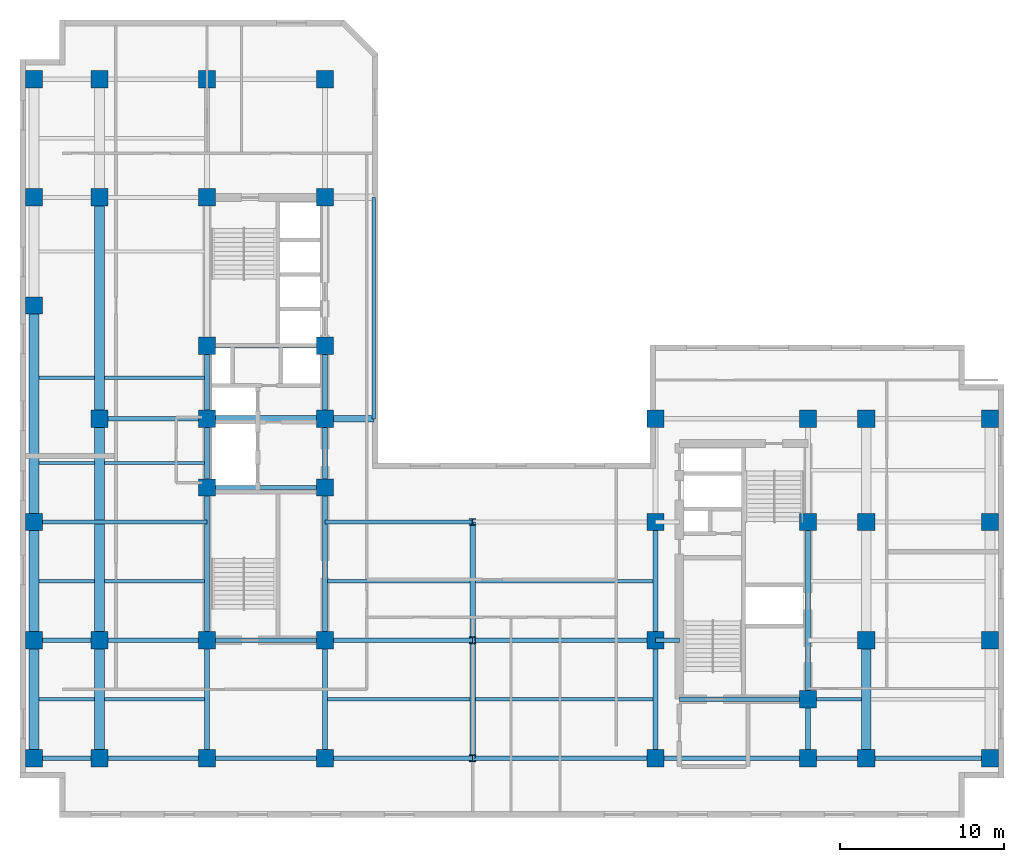
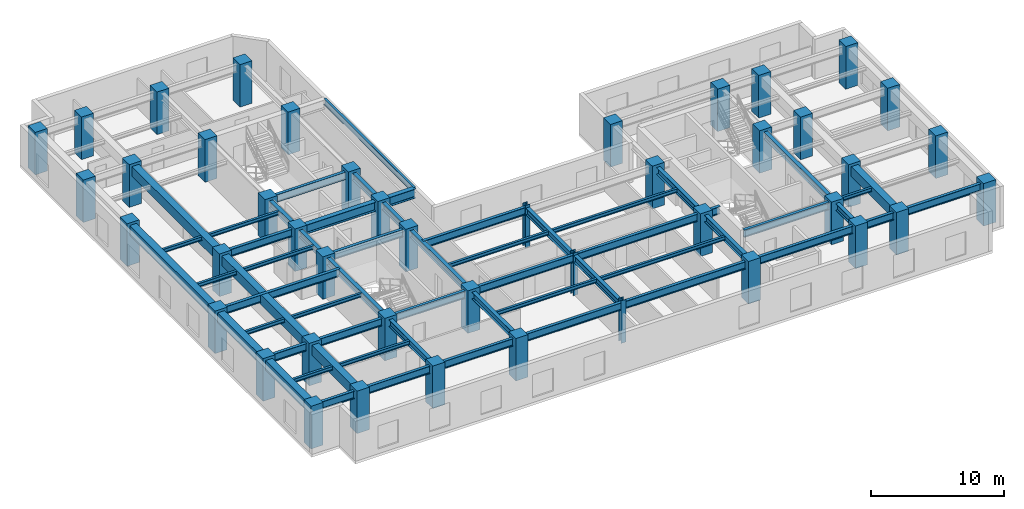
# One storey, part 1 of 9: 56 beams, 44 columns.
"""IFC4 building model written with IfcOpenShell, lengths in metres."""

from ifc_helpers import new_model, entity, si_unit, converted_unit, direction, frame, origin_with_axes, origin_2d_with_axis, place, context, subcontext, project, spatial, rectangle, i_section, extrude, material, material_profile, profile_set, type_object, element, save


model = new_model("IFC4")

# Units and contexts
model_context = context("Model", 3, precision=1e-05, world=origin_with_axes(), true_north=direction((0.0, 1.0)))
body_context = subcontext(model_context, "Body", "Model", "MODEL_VIEW")
ifc_project = project(units=[si_unit("LENGTHUNIT", "METRE"), si_unit("AREAUNIT", "SQUARE_METRE"), si_unit("VOLUMEUNIT", "CUBIC_METRE"), converted_unit("PLANEANGLEUNIT", "DEGREE", entity("IfcPlaneAngleMeasure", 0.017453292519943295), si_unit("PLANEANGLEUNIT", "RADIAN"), dimensions=[0, 0, 0, 0, 0, 0, 0]), si_unit("MASSUNIT", "GRAM", prefix="KILO"), si_unit("THERMODYNAMICTEMPERATUREUNIT", "KELVIN")], contexts=[model_context])

# Site, building, storey
site_placement = place(None, origin_with_axes())
site = spatial("IfcSite", under=ifc_project, at=site_placement, CompositionType="ELEMENT")
building_placement = place(site_placement, origin_with_axes())
building = spatial("IfcBuilding", under=site, at=building_placement, Name="Varnlund Millrace Tower", CompositionType="ELEMENT")
storey_placement = place(building_placement, frame((0.0, 0.0, 136.8), z_axis=(0.0, 0.0, 1.0), x_axis=(1.0, 0.0, 0.0)))
storey = spatial("IfcBuildingStorey", under=building, at=storey_placement, Name="L33", CompositionType="ELEMENT", Elevation=136.8)

# Columns
ifc_material_1 = material(Name="Steel ASTM A913 Grade 65", Category="steel")
ifc_material_profile_1 = material_profile(ifc_material_1, i_section(OverallWidth=0.406, OverallDepth=0.416, WebThickness=0.0298, FlangeThickness=0.048, FilletRadius=0.022, at=origin_2d_with_axis()), Name="Steel ASTM A913 Grade 65")
ifc_profile_set_1 = profile_set([ifc_material_profile_1], Name="Steel ASTM A913 Grade 65")
column_type_1 = type_object("IfcColumnType", Name="Type-Col-Int-W14X257", PredefinedType="COLUMN", material=ifc_profile_set_1)
for number, where, z_axis, x_axis, name in (
    (1, (27.6, 3.6, 0.0), (0.0, 0.0, 1.0), (1.0, 0.0, 0.0), "Type-Col-Int-W14X257"),
    (2, (27.6, 10.8, 0.0), (0.0, 0.0, 1.0), (1.0, 0.0, 0.0), "Type-Col-Int-W14X257"),
    (3, (27.6, 18.0, 0.0), (0.0, 0.0, 1.0), (1.0, 0.0, 0.0), "Type-Col-Int-W14X257"),
):
    element("IfcColumn", number, at=place(storey_placement, frame(where, z_axis=z_axis, x_axis=x_axis)), inside=storey, type_object=column_type_1, Name=name, PredefinedType="COLUMN", context=body_context, shape_type="SweptSolid", body=[
        extrude(i_section(OverallWidth=0.406, OverallDepth=0.416, WebThickness=0.0298, FlangeThickness=0.048, FilletRadius=0.022, at=origin_2d_with_axis()), origin_with_axes(), (0.0, 0.0, 1.0), 3.9),
    ])
ifc_material_2 = material(Name="Concrete C70/85", Category="concrete")
ifc_material_profile_2 = material_profile(ifc_material_2, rectangle(XDim=1.05, YDim=1.05, at=origin_2d_with_axis()), Name="Concrete C70/85")
ifc_profile_set_2 = profile_set([ifc_material_profile_2], Name="Concrete C70/85")
column_type_2 = type_object("IfcColumnType", Name="Type-Col-RC1050-C70", PredefinedType="COLUMN", material=ifc_profile_set_2)
for number, where, z_axis, x_axis, name in (
    (4, (11.4, 3.6, 0.0), (0.0, 0.0, 1.0), (1.0, 0.0, 0.0), "Type-Col-RC1050-C70"),
    (5, (11.4, 10.8, 0.0), (0.0, 0.0, 1.0), (1.0, 0.0, 0.0), "Type-Col-RC1050-C70"),
    (6, (11.4, 20.1, 0.0), (0.0, 0.0, 1.0), (1.0, 0.0, 0.0), "Type-Col-RC1050-C70"),
    (7, (11.4, 24.3, 0.0), (0.0, 0.0, 1.0), (1.0, 0.0, 0.0), "Type-Col-RC1050-C70"),
    (8, (11.4, 28.75, 0.0), (0.0, 0.0, 1.0), (1.0, 0.0, 0.0), "Type-Col-RC1050-C70"),
    (9, (11.4, 37.8, 0.0), (0.0, 0.0, 1.0), (1.0, 0.0, 0.0), "Type-Col-RC1050-C70"),
    (10, (11.4, 45.0, 0.0), (0.0, 0.0, 1.0), (1.0, 0.0, 0.0), "Type-Col-RC1050-C70"),
    (11, (18.6, 3.6, 0.0), (0.0, 0.0, 1.0), (1.0, 0.0, 0.0), "Type-Col-RC1050-C70"),
    (12, (18.6, 10.8, 0.0), (0.0, 0.0, 1.0), (1.0, 0.0, 0.0), "Type-Col-RC1050-C70"),
    (13, (18.6, 20.1, 0.0), (0.0, 0.0, 1.0), (1.0, 0.0, 0.0), "Type-Col-RC1050-C70"),
    (14, (18.6, 24.3, 0.0), (0.0, 0.0, 1.0), (1.0, 0.0, 0.0), "Type-Col-RC1050-C70"),
    (15, (18.6, 28.75, 0.0), (0.0, 0.0, 1.0), (1.0, 0.0, 0.0), "Type-Col-RC1050-C70"),
    (16, (18.6, 37.8, 0.0), (0.0, 0.0, 1.0), (1.0, 0.0, 0.0), "Type-Col-RC1050-C70"),
    (17, (18.6, 45.0, 0.0), (0.0, 0.0, 1.0), (1.0, 0.0, 0.0), "Type-Col-RC1050-C70"),
    (18, (4.85, 3.6, 0.0), (0.0, 0.0, 1.0), (1.0, 0.0, 0.0), "Type-Col-RC1050-C70"),
    (19, (4.85, 10.8, 0.0), (0.0, 0.0, 1.0), (1.0, 0.0, 0.0), "Type-Col-RC1050-C70"),
    (20, (4.85, 24.3, 0.0), (0.0, 0.0, 1.0), (1.0, 0.0, 0.0), "Type-Col-RC1050-C70"),
    (21, (4.85, 37.8, 0.0), (0.0, 0.0, 1.0), (1.0, 0.0, 0.0), "Type-Col-RC1050-C70"),
    (22, (4.85, 45.0, 0.0), (0.0, 0.0, 1.0), (1.0, 0.0, 0.0), "Type-Col-RC1050-C70"),
    (23, (0.85, 3.6, 0.0), (0.0, 0.0, 1.0), (1.0, 0.0, 0.0), "Type-Col-RC1050-C70"),
    (24, (0.85, 10.8, 0.0), (0.0, 0.0, 1.0), (1.0, 0.0, 0.0), "Type-Col-RC1050-C70"),
    (25, (0.85, 18.0, 0.0), (0.0, 0.0, 1.0), (1.0, 0.0, 0.0), "Type-Col-RC1050-C70"),
    (26, (0.85, 31.2, 0.0), (0.0, 0.0, 1.0), (1.0, 0.0, 0.0), "Type-Col-RC1050-C70"),
    (27, (0.85, 37.8, 0.0), (0.0, 0.0, 1.0), (1.0, 0.0, 0.0), "Type-Col-RC1050-C70"),
    (28, (0.85, 45.0, 0.0), (0.0, 0.0, 1.0), (1.0, 0.0, 0.0), "Type-Col-RC1050-C70"),
    (29, (38.75, 3.6, 0.0), (0.0, 0.0, 1.0), (1.0, 0.0, 0.0), "Type-Col-RC1050-C70"),
    (30, (38.75, 10.8, 0.0), (0.0, 0.0, 1.0), (1.0, 0.0, 0.0), "Type-Col-RC1050-C70"),
    (31, (38.75, 18.0, 0.0), (0.0, 0.0, 1.0), (1.0, 0.0, 0.0), "Type-Col-RC1050-C70"),
    (32, (38.75, 24.3, 0.0), (0.0, 0.0, 1.0), (1.0, 0.0, 0.0), "Type-Col-RC1050-C70"),
    (33, (48.05, 3.6, 0.0), (0.0, 0.0, 1.0), (1.0, 0.0, 0.0), "Type-Col-RC1050-C70"),
    (34, (48.05, 7.2, 0.0), (0.0, 0.0, 1.0), (1.0, 0.0, 0.0), "Type-Col-RC1050-C70"),
    (35, (48.05, 18.0, 0.0), (0.0, 0.0, 1.0), (1.0, 0.0, 0.0), "Type-Col-RC1050-C70"),
    (36, (48.05, 24.3, 0.0), (0.0, 0.0, 1.0), (1.0, 0.0, 0.0), "Type-Col-RC1050-C70"),
    (37, (51.6, 3.6, 0.0), (0.0, 0.0, 1.0), (1.0, 0.0, 0.0), "Type-Col-RC1050-C70"),
    (38, (51.6, 10.8, 0.0), (0.0, 0.0, 1.0), (1.0, 0.0, 0.0), "Type-Col-RC1050-C70"),
    (39, (51.6, 18.0, 0.0), (0.0, 0.0, 1.0), (1.0, 0.0, 0.0), "Type-Col-RC1050-C70"),
    (40, (51.6, 24.3, 0.0), (0.0, 0.0, 1.0), (1.0, 0.0, 0.0), "Type-Col-RC1050-C70"),
    (41, (59.15, 3.6, 0.0), (0.0, 0.0, 1.0), (1.0, 0.0, 0.0), "Type-Col-RC1050-C70"),
    (42, (59.15, 10.8, 0.0), (0.0, 0.0, 1.0), (1.0, 0.0, 0.0), "Type-Col-RC1050-C70"),
    (43, (59.15, 18.0, 0.0), (0.0, 0.0, 1.0), (1.0, 0.0, 0.0), "Type-Col-RC1050-C70"),
    (44, (59.15, 24.3, 0.0), (0.0, 0.0, 1.0), (1.0, 0.0, 0.0), "Type-Col-RC1050-C70"),
):
    element("IfcColumn", number, at=place(storey_placement, frame(where, z_axis=z_axis, x_axis=x_axis)), inside=storey, type_object=column_type_2, Name=name, PredefinedType="COLUMN", context=body_context, shape_type="SweptSolid", body=[
        extrude(rectangle(XDim=1.05, YDim=1.05, at=origin_2d_with_axis()), origin_with_axes(), (0.0, 0.0, 1.0), 3.9),
    ])

# Beams
ifc_material_3 = material(Name="Steel ASTM A992 Grade 50", Category="steel")
ifc_material_profile_3 = material_profile(ifc_material_3, i_section(OverallWidth=0.209, OverallDepth=0.533, WebThickness=0.0102, FlangeThickness=0.0156, FilletRadius=0.014, at=origin_2d_with_axis()), Name="Steel ASTM A992 Grade 50")
ifc_profile_set_3 = profile_set([ifc_material_profile_3], Name="Steel ASTM A992 Grade 50")
beam_type_1 = type_object("IfcBeamType", Name="Type-Beam-W21X62", PredefinedType="BEAM", material=ifc_profile_set_3)
beam_1_placement = place(storey_placement, frame((21.575, 24.3, 3.3935), z_axis=(0.0, 1.0, 0.0), x_axis=(-1.0, 0.0, 0.0)))
element("IfcBeam", 45, at=beam_1_placement, inside=storey, type_object=beam_type_1, Name="Type-Beam-W21X62", PredefinedType="BEAM", context=body_context, shape_type="SweptSolid", body=[
    extrude(i_section(OverallWidth=0.209, OverallDepth=0.533, WebThickness=0.0102, FlangeThickness=0.0156, FilletRadius=0.014, at=origin_2d_with_axis()), origin_with_axes(), (0.0, 0.0, 1.0), 13.5),
])
ifc_material_profile_4 = material_profile(ifc_material_3, i_section(OverallWidth=0.328, OverallDepth=0.628, WebThickness=0.0165, FlangeThickness=0.0277, FilletRadius=0.018, at=origin_2d_with_axis()), Name="Steel ASTM A992 Grade 50")
ifc_profile_set_4 = profile_set([ifc_material_profile_4], Name="Steel ASTM A992 Grade 50")
beam_type_2 = type_object("IfcBeamType", Name="Type-Girder-W24X146", PredefinedType="USERDEFINED", material=ifc_profile_set_4)
beam_2_placement = place(storey_placement, frame((11.4, 3.6, 3.346), z_axis=(0.0, 1.0, 0.0), x_axis=(-1.0, 0.0, 0.0)))
element("IfcBeam", 46, at=beam_2_placement, inside=storey, type_object=beam_type_2, Name="Type-Girder-W24X146", ObjectType="GIRDER", PredefinedType="USERDEFINED", context=body_context, shape_type="SweptSolid", body=[
    extrude(i_section(OverallWidth=0.328, OverallDepth=0.628, WebThickness=0.0165, FlangeThickness=0.0277, FilletRadius=0.018, at=origin_2d_with_axis()), origin_with_axes(), (0.0, 0.0, 1.0), 7.2),
])
beam_3_placement = place(storey_placement, frame((11.4, 10.8, 3.346), z_axis=(0.0, 1.0, 0.0), x_axis=(-1.0, 0.0, 0.0)))
element("IfcBeam", 47, at=beam_3_placement, inside=storey, type_object=beam_type_2, Name="Type-Girder-W24X146", ObjectType="GIRDER", PredefinedType="USERDEFINED", context=body_context, shape_type="SweptSolid", body=[
    extrude(i_section(OverallWidth=0.328, OverallDepth=0.628, WebThickness=0.0165, FlangeThickness=0.0277, FilletRadius=0.018, at=origin_2d_with_axis()), origin_with_axes(), (0.0, 0.0, 1.0), 9.3),
])
beam_4_placement = place(storey_placement, frame((11.4, 20.1, 3.346), z_axis=(0.0, 1.0, 0.0), x_axis=(-1.0, 0.0, 0.0)))
element("IfcBeam", 48, at=beam_4_placement, inside=storey, type_object=beam_type_2, Name="Type-Girder-W24X146", ObjectType="GIRDER", PredefinedType="USERDEFINED", context=body_context, shape_type="SweptSolid", body=[
    extrude(i_section(OverallWidth=0.328, OverallDepth=0.628, WebThickness=0.0165, FlangeThickness=0.0277, FilletRadius=0.018, at=origin_2d_with_axis()), origin_with_axes(), (0.0, 0.0, 1.0), 4.2),
])
beam_5_placement = place(storey_placement, frame((11.4, 24.3, 3.346), z_axis=(0.0, 1.0, 0.0), x_axis=(-1.0, 0.0, 0.0)))
element("IfcBeam", 49, at=beam_5_placement, inside=storey, type_object=beam_type_2, Name="Type-Girder-W24X146", ObjectType="GIRDER", PredefinedType="USERDEFINED", context=body_context, shape_type="SweptSolid", body=[
    extrude(i_section(OverallWidth=0.328, OverallDepth=0.628, WebThickness=0.0165, FlangeThickness=0.0277, FilletRadius=0.018, at=origin_2d_with_axis()), origin_with_axes(), (0.0, 0.0, 1.0), 4.45),
])
beam_6_placement = place(storey_placement, frame((18.6, 3.6, 3.346), z_axis=(0.0, 1.0, 0.0), x_axis=(-1.0, 0.0, 0.0)))
element("IfcBeam", 50, at=beam_6_placement, inside=storey, type_object=beam_type_2, Name="Type-Girder-W24X146", ObjectType="GIRDER", PredefinedType="USERDEFINED", context=body_context, shape_type="SweptSolid", body=[
    extrude(i_section(OverallWidth=0.328, OverallDepth=0.628, WebThickness=0.0165, FlangeThickness=0.0277, FilletRadius=0.018, at=origin_2d_with_axis()), origin_with_axes(), (0.0, 0.0, 1.0), 7.2),
])
beam_7_placement = place(storey_placement, frame((18.6, 10.8, 3.346), z_axis=(0.0, 1.0, 0.0), x_axis=(-1.0, 0.0, 0.0)))
element("IfcBeam", 51, at=beam_7_placement, inside=storey, type_object=beam_type_2, Name="Type-Girder-W24X146", ObjectType="GIRDER", PredefinedType="USERDEFINED", context=body_context, shape_type="SweptSolid", body=[
    extrude(i_section(OverallWidth=0.328, OverallDepth=0.628, WebThickness=0.0165, FlangeThickness=0.0277, FilletRadius=0.018, at=origin_2d_with_axis()), origin_with_axes(), (0.0, 0.0, 1.0), 9.3),
])
beam_8_placement = place(storey_placement, frame((18.6, 20.1, 3.346), z_axis=(0.0, 1.0, 0.0), x_axis=(-1.0, 0.0, 0.0)))
element("IfcBeam", 52, at=beam_8_placement, inside=storey, type_object=beam_type_2, Name="Type-Girder-W24X146", ObjectType="GIRDER", PredefinedType="USERDEFINED", context=body_context, shape_type="SweptSolid", body=[
    extrude(i_section(OverallWidth=0.328, OverallDepth=0.628, WebThickness=0.0165, FlangeThickness=0.0277, FilletRadius=0.018, at=origin_2d_with_axis()), origin_with_axes(), (0.0, 0.0, 1.0), 4.2),
])
beam_9_placement = place(storey_placement, frame((18.6, 24.3, 3.346), z_axis=(0.0, 1.0, 0.0), x_axis=(-1.0, 0.0, 0.0)))
element("IfcBeam", 53, at=beam_9_placement, inside=storey, type_object=beam_type_2, Name="Type-Girder-W24X146", ObjectType="GIRDER", PredefinedType="USERDEFINED", context=body_context, shape_type="SweptSolid", body=[
    extrude(i_section(OverallWidth=0.328, OverallDepth=0.628, WebThickness=0.0165, FlangeThickness=0.0277, FilletRadius=0.018, at=origin_2d_with_axis()), origin_with_axes(), (0.0, 0.0, 1.0), 4.45),
])
for number, where, z_axis, x_axis, name in (
    (54, (27.6, 3.6, 3.346), (0.0, 1.0, 0.0), (-1.0, 0.0, 0.0), "Type-Girder-W24X146"),
    (55, (27.6, 10.8, 3.346), (0.0, 1.0, 0.0), (-1.0, 0.0, 0.0), "Type-Girder-W24X146"),
    (56, (38.75, 3.6, 3.346), (0.0, 1.0, 0.0), (-1.0, 0.0, 0.0), "Type-Girder-W24X146"),
    (57, (38.75, 10.8, 3.346), (0.0, 1.0, 0.0), (-1.0, 0.0, 0.0), "Type-Girder-W24X146"),
):
    element("IfcBeam", number, at=place(storey_placement, frame(where, z_axis=z_axis, x_axis=x_axis)), inside=storey, type_object=beam_type_2, Name=name, ObjectType="GIRDER", PredefinedType="USERDEFINED", context=body_context, shape_type="SweptSolid", body=[
        extrude(i_section(OverallWidth=0.328, OverallDepth=0.628, WebThickness=0.0165, FlangeThickness=0.0277, FilletRadius=0.018, at=origin_2d_with_axis()), origin_with_axes(), (0.0, 0.0, 1.0), 7.2),
    ])
beam_10_placement = place(storey_placement, frame((48.05, 3.6, 3.346), z_axis=(0.0, 1.0, 0.0), x_axis=(-1.0, 0.0, 0.0)))
element("IfcBeam", 58, at=beam_10_placement, inside=storey, type_object=beam_type_2, Name="Type-Girder-W24X146", ObjectType="GIRDER", PredefinedType="USERDEFINED", context=body_context, shape_type="SweptSolid", body=[
    extrude(i_section(OverallWidth=0.328, OverallDepth=0.628, WebThickness=0.0165, FlangeThickness=0.0277, FilletRadius=0.018, at=origin_2d_with_axis()), origin_with_axes(), (0.0, 0.0, 1.0), 3.6),
])
beam_11_placement = place(storey_placement, frame((48.05, 7.2, 3.346), z_axis=(0.0, 1.0, 0.0), x_axis=(-1.0, 0.0, 0.0)))
element("IfcBeam", 59, at=beam_11_placement, inside=storey, type_object=beam_type_2, Name="Type-Girder-W24X146", ObjectType="GIRDER", PredefinedType="USERDEFINED", context=body_context, shape_type="SweptSolid", body=[
    extrude(i_section(OverallWidth=0.328, OverallDepth=0.628, WebThickness=0.0165, FlangeThickness=0.0277, FilletRadius=0.018, at=origin_2d_with_axis()), origin_with_axes(), (0.0, 0.0, 1.0), 10.8),
])
ifc_material_profile_5 = material_profile(ifc_material_3, i_section(OverallWidth=0.256, OverallDepth=0.693, WebThickness=0.0145, FlangeThickness=0.0236, FilletRadius=0.018, at=origin_2d_with_axis()), Name="Steel ASTM A992 Grade 50")
ifc_profile_set_5 = profile_set([ifc_material_profile_5], Name="Steel ASTM A992 Grade 50")
beam_type_3 = type_object("IfcBeamType", Name="Type-Girder-W27X114", PredefinedType="USERDEFINED", material=ifc_profile_set_5)
beam_12_placement = place(storey_placement, frame((0.85, 3.6, 3.3135), z_axis=(1.0, 0.0, 0.0), x_axis=(0.0, 1.0, 0.0)))
element("IfcBeam", 60, at=beam_12_placement, inside=storey, type_object=beam_type_3, Name="Type-Girder-W27X114", ObjectType="GIRDER", PredefinedType="USERDEFINED", context=body_context, shape_type="SweptSolid", body=[
    extrude(i_section(OverallWidth=0.256, OverallDepth=0.693, WebThickness=0.0145, FlangeThickness=0.0236, FilletRadius=0.018, at=origin_2d_with_axis()), origin_with_axes(), (0.0, 0.0, 1.0), 4.0),
])
beam_13_placement = place(storey_placement, frame((4.85, 3.6, 3.3135), z_axis=(1.0, 0.0, 0.0), x_axis=(0.0, 1.0, 0.0)))
element("IfcBeam", 61, at=beam_13_placement, inside=storey, type_object=beam_type_3, Name="Type-Girder-W27X114", ObjectType="GIRDER", PredefinedType="USERDEFINED", context=body_context, shape_type="SweptSolid", body=[
    extrude(i_section(OverallWidth=0.256, OverallDepth=0.693, WebThickness=0.0145, FlangeThickness=0.0236, FilletRadius=0.018, at=origin_2d_with_axis()), origin_with_axes(), (0.0, 0.0, 1.0), 6.55),
])
beam_14_placement = place(storey_placement, frame((11.4, 3.6, 3.3135), z_axis=(1.0, 0.0, 0.0), x_axis=(0.0, 1.0, 0.0)))
element("IfcBeam", 62, at=beam_14_placement, inside=storey, type_object=beam_type_3, Name="Type-Girder-W27X114", ObjectType="GIRDER", PredefinedType="USERDEFINED", context=body_context, shape_type="SweptSolid", body=[
    extrude(i_section(OverallWidth=0.256, OverallDepth=0.693, WebThickness=0.0145, FlangeThickness=0.0236, FilletRadius=0.018, at=origin_2d_with_axis()), origin_with_axes(), (0.0, 0.0, 1.0), 7.2),
])
beam_15_placement = place(storey_placement, frame((18.6, 3.6, 3.3135), z_axis=(1.0, 0.0, 0.0), x_axis=(0.0, 1.0, 0.0)))
element("IfcBeam", 63, at=beam_15_placement, inside=storey, type_object=beam_type_3, Name="Type-Girder-W27X114", ObjectType="GIRDER", PredefinedType="USERDEFINED", context=body_context, shape_type="SweptSolid", body=[
    extrude(i_section(OverallWidth=0.256, OverallDepth=0.693, WebThickness=0.0145, FlangeThickness=0.0236, FilletRadius=0.018, at=origin_2d_with_axis()), origin_with_axes(), (0.0, 0.0, 1.0), 9.0),
])
beam_16_placement = place(storey_placement, frame((27.6, 3.6, 3.3135), z_axis=(1.0, 0.0, 0.0), x_axis=(0.0, 1.0, 0.0)))
element("IfcBeam", 64, at=beam_16_placement, inside=storey, type_object=beam_type_3, Name="Type-Girder-W27X114", ObjectType="GIRDER", PredefinedType="USERDEFINED", context=body_context, shape_type="SweptSolid", body=[
    extrude(i_section(OverallWidth=0.256, OverallDepth=0.693, WebThickness=0.0145, FlangeThickness=0.0236, FilletRadius=0.018, at=origin_2d_with_axis()), origin_with_axes(), (0.0, 0.0, 1.0), 11.15),
])
beam_17_placement = place(storey_placement, frame((38.75, 3.6, 3.3135), z_axis=(1.0, 0.0, 0.0), x_axis=(0.0, 1.0, 0.0)))
element("IfcBeam", 65, at=beam_17_placement, inside=storey, type_object=beam_type_3, Name="Type-Girder-W27X114", ObjectType="GIRDER", PredefinedType="USERDEFINED", context=body_context, shape_type="SweptSolid", body=[
    extrude(i_section(OverallWidth=0.256, OverallDepth=0.693, WebThickness=0.0145, FlangeThickness=0.0236, FilletRadius=0.018, at=origin_2d_with_axis()), origin_with_axes(), (0.0, 0.0, 1.0), 9.3),
])
beam_18_placement = place(storey_placement, frame((48.05, 3.6, 3.3135), z_axis=(1.0, 0.0, 0.0), x_axis=(0.0, 1.0, 0.0)))
element("IfcBeam", 66, at=beam_18_placement, inside=storey, type_object=beam_type_3, Name="Type-Girder-W27X114", ObjectType="GIRDER", PredefinedType="USERDEFINED", context=body_context, shape_type="SweptSolid", body=[
    extrude(i_section(OverallWidth=0.256, OverallDepth=0.693, WebThickness=0.0145, FlangeThickness=0.0236, FilletRadius=0.018, at=origin_2d_with_axis()), origin_with_axes(), (0.0, 0.0, 1.0), 3.55),
])
beam_19_placement = place(storey_placement, frame((51.6, 3.6, 3.3135), z_axis=(1.0, 0.0, 0.0), x_axis=(0.0, 1.0, 0.0)))
element("IfcBeam", 67, at=beam_19_placement, inside=storey, type_object=beam_type_3, Name="Type-Girder-W27X114", ObjectType="GIRDER", PredefinedType="USERDEFINED", context=body_context, shape_type="SweptSolid", body=[
    extrude(i_section(OverallWidth=0.256, OverallDepth=0.693, WebThickness=0.0145, FlangeThickness=0.0236, FilletRadius=0.018, at=origin_2d_with_axis()), origin_with_axes(), (0.0, 0.0, 1.0), 7.55),
])
beam_20_placement = place(storey_placement, frame((40.2, 7.2, 3.3135), z_axis=(1.0, 0.0, 0.0), x_axis=(0.0, 1.0, 0.0)))
element("IfcBeam", 68, at=beam_20_placement, inside=storey, type_object=beam_type_3, Name="Type-Girder-W27X114", ObjectType="GIRDER", PredefinedType="USERDEFINED", context=body_context, shape_type="SweptSolid", body=[
    extrude(i_section(OverallWidth=0.256, OverallDepth=0.693, WebThickness=0.0145, FlangeThickness=0.0236, FilletRadius=0.018, at=origin_2d_with_axis()), origin_with_axes(), (0.0, 0.0, 1.0), 7.85),
])
beam_21_placement = place(storey_placement, frame((0.85, 10.8, 3.3135), z_axis=(1.0, 0.0, 0.0), x_axis=(0.0, 1.0, 0.0)))
element("IfcBeam", 69, at=beam_21_placement, inside=storey, type_object=beam_type_3, Name="Type-Girder-W27X114", ObjectType="GIRDER", PredefinedType="USERDEFINED", context=body_context, shape_type="SweptSolid", body=[
    extrude(i_section(OverallWidth=0.256, OverallDepth=0.693, WebThickness=0.0145, FlangeThickness=0.0236, FilletRadius=0.018, at=origin_2d_with_axis()), origin_with_axes(), (0.0, 0.0, 1.0), 4.0),
])
beam_22_placement = place(storey_placement, frame((4.85, 10.8, 3.3135), z_axis=(1.0, 0.0, 0.0), x_axis=(0.0, 1.0, 0.0)))
element("IfcBeam", 70, at=beam_22_placement, inside=storey, type_object=beam_type_3, Name="Type-Girder-W27X114", ObjectType="GIRDER", PredefinedType="USERDEFINED", context=body_context, shape_type="SweptSolid", body=[
    extrude(i_section(OverallWidth=0.256, OverallDepth=0.693, WebThickness=0.0145, FlangeThickness=0.0236, FilletRadius=0.018, at=origin_2d_with_axis()), origin_with_axes(), (0.0, 0.0, 1.0), 6.55),
])
beam_23_placement = place(storey_placement, frame((11.4, 10.8, 3.3135), z_axis=(1.0, 0.0, 0.0), x_axis=(0.0, 1.0, 0.0)))
element("IfcBeam", 71, at=beam_23_placement, inside=storey, type_object=beam_type_3, Name="Type-Girder-W27X114", ObjectType="GIRDER", PredefinedType="USERDEFINED", context=body_context, shape_type="SweptSolid", body=[
    extrude(i_section(OverallWidth=0.256, OverallDepth=0.693, WebThickness=0.0145, FlangeThickness=0.0236, FilletRadius=0.018, at=origin_2d_with_axis()), origin_with_axes(), (0.0, 0.0, 1.0), 7.2),
])
beam_24_placement = place(storey_placement, frame((18.6, 10.8, 3.3135), z_axis=(1.0, 0.0, 0.0), x_axis=(0.0, 1.0, 0.0)))
element("IfcBeam", 72, at=beam_24_placement, inside=storey, type_object=beam_type_3, Name="Type-Girder-W27X114", ObjectType="GIRDER", PredefinedType="USERDEFINED", context=body_context, shape_type="SweptSolid", body=[
    extrude(i_section(OverallWidth=0.256, OverallDepth=0.693, WebThickness=0.0145, FlangeThickness=0.0236, FilletRadius=0.018, at=origin_2d_with_axis()), origin_with_axes(), (0.0, 0.0, 1.0), 9.0),
])
beam_25_placement = place(storey_placement, frame((27.6, 10.8, 3.3135), z_axis=(1.0, 0.0, 0.0), x_axis=(0.0, 1.0, 0.0)))
element("IfcBeam", 73, at=beam_25_placement, inside=storey, type_object=beam_type_3, Name="Type-Girder-W27X114", ObjectType="GIRDER", PredefinedType="USERDEFINED", context=body_context, shape_type="SweptSolid", body=[
    extrude(i_section(OverallWidth=0.256, OverallDepth=0.693, WebThickness=0.0145, FlangeThickness=0.0236, FilletRadius=0.018, at=origin_2d_with_axis()), origin_with_axes(), (0.0, 0.0, 1.0), 11.15),
])
beam_26_placement = place(storey_placement, frame((38.75, 10.8, 3.3135), z_axis=(1.0, 0.0, 0.0), x_axis=(0.0, 1.0, 0.0)))
element("IfcBeam", 74, at=beam_26_placement, inside=storey, type_object=beam_type_3, Name="Type-Girder-W27X114", ObjectType="GIRDER", PredefinedType="USERDEFINED", context=body_context, shape_type="SweptSolid", body=[
    extrude(i_section(OverallWidth=0.256, OverallDepth=0.693, WebThickness=0.0145, FlangeThickness=0.0236, FilletRadius=0.018, at=origin_2d_with_axis()), origin_with_axes(), (0.0, 0.0, 1.0), 1.45),
])
beam_27_placement = place(storey_placement, frame((0.85, 18.0, 3.3135), z_axis=(1.0, 0.0, 0.0), x_axis=(0.0, 1.0, 0.0)))
element("IfcBeam", 75, at=beam_27_placement, inside=storey, type_object=beam_type_3, Name="Type-Girder-W27X114", ObjectType="GIRDER", PredefinedType="USERDEFINED", context=body_context, shape_type="SweptSolid", body=[
    extrude(i_section(OverallWidth=0.256, OverallDepth=0.693, WebThickness=0.0145, FlangeThickness=0.0236, FilletRadius=0.018, at=origin_2d_with_axis()), origin_with_axes(), (0.0, 0.0, 1.0), 10.55),
])
beam_28_placement = place(storey_placement, frame((18.6, 18.0, 3.3135), z_axis=(1.0, 0.0, 0.0), x_axis=(0.0, 1.0, 0.0)))
element("IfcBeam", 76, at=beam_28_placement, inside=storey, type_object=beam_type_3, Name="Type-Girder-W27X114", ObjectType="GIRDER", PredefinedType="USERDEFINED", context=body_context, shape_type="SweptSolid", body=[
    extrude(i_section(OverallWidth=0.256, OverallDepth=0.693, WebThickness=0.0145, FlangeThickness=0.0236, FilletRadius=0.018, at=origin_2d_with_axis()), origin_with_axes(), (0.0, 0.0, 1.0), 9.0),
])
beam_29_placement = place(storey_placement, frame((11.4, 20.1, 3.3135), z_axis=(1.0, 0.0, 0.0), x_axis=(0.0, 1.0, 0.0)))
element("IfcBeam", 77, at=beam_29_placement, inside=storey, type_object=beam_type_3, Name="Type-Girder-W27X114", ObjectType="GIRDER", PredefinedType="USERDEFINED", context=body_context, shape_type="SweptSolid", body=[
    extrude(i_section(OverallWidth=0.256, OverallDepth=0.693, WebThickness=0.0145, FlangeThickness=0.0236, FilletRadius=0.018, at=origin_2d_with_axis()), origin_with_axes(), (0.0, 0.0, 1.0), 7.2),
])
beam_30_placement = place(storey_placement, frame((4.85, 24.3, 3.3135), z_axis=(1.0, 0.0, 0.0), x_axis=(0.0, 1.0, 0.0)))
element("IfcBeam", 78, at=beam_30_placement, inside=storey, type_object=beam_type_3, Name="Type-Girder-W27X114", ObjectType="GIRDER", PredefinedType="USERDEFINED", context=body_context, shape_type="SweptSolid", body=[
    extrude(i_section(OverallWidth=0.256, OverallDepth=0.693, WebThickness=0.0145, FlangeThickness=0.0236, FilletRadius=0.018, at=origin_2d_with_axis()), origin_with_axes(), (0.0, 0.0, 1.0), 6.55),
])
beam_31_placement = place(storey_placement, frame((11.4, 28.75, 3.3135), z_axis=(1.0, 0.0, 0.0), x_axis=(0.0, 1.0, 0.0)))
element("IfcBeam", 79, at=beam_31_placement, inside=storey, type_object=beam_type_3, Name="Type-Girder-W27X114", ObjectType="GIRDER", PredefinedType="USERDEFINED", context=body_context, shape_type="SweptSolid", body=[
    extrude(i_section(OverallWidth=0.256, OverallDepth=0.693, WebThickness=0.0145, FlangeThickness=0.0236, FilletRadius=0.018, at=origin_2d_with_axis()), origin_with_axes(), (0.0, 0.0, 1.0), 7.2),
])
ifc_material_profile_6 = material_profile(ifc_material_3, i_section(OverallWidth=0.399, OverallDepth=0.855, WebThickness=0.0182, FlangeThickness=0.0292, FilletRadius=0.022, at=origin_2d_with_axis()), Name="Steel ASTM A992 Grade 50")
ifc_profile_set_6 = profile_set([ifc_material_profile_6], Name="Steel ASTM A992 Grade 50")
beam_type_4 = type_object("IfcBeamType", Name="Type-Girder-W33X201", PredefinedType="USERDEFINED", material=ifc_profile_set_6)
beam_32_placement = place(storey_placement, frame((11.4, 24.3, 3.2325), z_axis=(1.0, 0.0, 0.0), x_axis=(0.0, 1.0, 0.0)))
element("IfcBeam", 80, at=beam_32_placement, inside=storey, type_object=beam_type_4, Name="Type-Girder-W33X201", ObjectType="GIRDER", PredefinedType="USERDEFINED", context=body_context, shape_type="SweptSolid", body=[
    extrude(i_section(OverallWidth=0.399, OverallDepth=0.855, WebThickness=0.0182, FlangeThickness=0.0292, FilletRadius=0.022, at=origin_2d_with_axis()), origin_with_axes(), (0.0, 0.0, 1.0), 10.175),
])
ifc_material_profile_7 = material_profile(ifc_material_3, i_section(OverallWidth=0.204, OverallDepth=0.35, WebThickness=0.0086, FlangeThickness=0.0151, FilletRadius=0.013, at=origin_2d_with_axis()), Name="Steel ASTM A992 Grade 50")
ifc_profile_set_7 = profile_set([ifc_material_profile_7], Name="Steel ASTM A992 Grade 50")
beam_type_5 = type_object("IfcBeamType", Name="Type-Joist-W14X48", PredefinedType="JOIST", material=ifc_profile_set_7)
for number, where, z_axis, x_axis, name in (
    (81, (1.15, 7.2, 3.485), (1.0, 0.0, 0.0), (0.0, 1.0, 0.0), "Type-Joist-W14X48"),
    (82, (1.15, 14.4, 3.485), (1.0, 0.0, 0.0), (0.0, 1.0, 0.0), "Type-Joist-W14X48"),
    (83, (1.15, 21.6, 3.485), (1.0, 0.0, 0.0), (0.0, 1.0, 0.0), "Type-Joist-W14X48"),
    (84, (1.15, 26.8, 3.485), (1.0, 0.0, 0.0), (0.0, 1.0, 0.0), "Type-Joist-W14X48"),
):
    element("IfcBeam", number, at=place(storey_placement, frame(where, z_axis=z_axis, x_axis=x_axis)), inside=storey, type_object=beam_type_5, Name=name, PredefinedType="JOIST", context=body_context, shape_type="SweptSolid", body=[
        extrude(i_section(OverallWidth=0.204, OverallDepth=0.35, WebThickness=0.0086, FlangeThickness=0.0151, FilletRadius=0.013, at=origin_2d_with_axis()), origin_with_axes(), (0.0, 0.0, 1.0), 3.4),
    ])
for number, where, z_axis, x_axis, name in (
    (85, (5.15, 7.2, 3.485), (1.0, 0.0, 0.0), (0.0, 1.0, 0.0), "Type-Joist-W14X48"),
    (86, (5.15, 14.4, 3.485), (1.0, 0.0, 0.0), (0.0, 1.0, 0.0), "Type-Joist-W14X48"),
    (87, (5.15, 21.6, 3.485), (1.0, 0.0, 0.0), (0.0, 1.0, 0.0), "Type-Joist-W14X48"),
    (88, (5.15, 26.8, 3.485), (1.0, 0.0, 0.0), (0.0, 1.0, 0.0), "Type-Joist-W14X48"),
):
    element("IfcBeam", number, at=place(storey_placement, frame(where, z_axis=z_axis, x_axis=x_axis)), inside=storey, type_object=beam_type_5, Name=name, PredefinedType="JOIST", context=body_context, shape_type="SweptSolid", body=[
        extrude(i_section(OverallWidth=0.204, OverallDepth=0.35, WebThickness=0.0086, FlangeThickness=0.0151, FilletRadius=0.013, at=origin_2d_with_axis()), origin_with_axes(), (0.0, 0.0, 1.0), 6.086),
    ])
beam_33_placement = place(storey_placement, frame((48.214, 7.2, 3.485), z_axis=(1.0, 0.0, 0.0), x_axis=(0.0, 1.0, 0.0)))
element("IfcBeam", 89, at=beam_33_placement, inside=storey, type_object=beam_type_5, Name="Type-Joist-W14X48", PredefinedType="JOIST", context=body_context, shape_type="SweptSolid", body=[
    extrude(i_section(OverallWidth=0.204, OverallDepth=0.35, WebThickness=0.0086, FlangeThickness=0.0151, FilletRadius=0.013, at=origin_2d_with_axis()), origin_with_axes(), (0.0, 0.0, 1.0), 3.086),
])
for number, where, z_axis, x_axis, name in (
    (90, (18.764, 7.2, 3.485), (1.0, 0.0, 0.0), (0.0, 1.0, 0.0), "Type-Joist-W14X48"),
    (91, (18.764, 14.4, 3.485), (1.0, 0.0, 0.0), (0.0, 1.0, 0.0), "Type-Joist-W14X48"),
):
    element("IfcBeam", number, at=place(storey_placement, frame(where, z_axis=z_axis, x_axis=x_axis)), inside=storey, type_object=beam_type_5, Name=name, PredefinedType="JOIST", context=body_context, shape_type="SweptSolid", body=[
        extrude(i_section(OverallWidth=0.204, OverallDepth=0.35, WebThickness=0.0086, FlangeThickness=0.0151, FilletRadius=0.013, at=origin_2d_with_axis()), origin_with_axes(), (0.0, 0.0, 1.0), 8.672),
    ])
for number, where, z_axis, x_axis, name in (
    (92, (27.764, 7.2, 3.485), (1.0, 0.0, 0.0), (0.0, 1.0, 0.0), "Type-Joist-W14X48"),
    (93, (27.764, 14.4, 3.485), (1.0, 0.0, 0.0), (0.0, 1.0, 0.0), "Type-Joist-W14X48"),
):
    element("IfcBeam", number, at=place(storey_placement, frame(where, z_axis=z_axis, x_axis=x_axis)), inside=storey, type_object=beam_type_5, Name=name, PredefinedType="JOIST", context=body_context, shape_type="SweptSolid", body=[
        extrude(i_section(OverallWidth=0.204, OverallDepth=0.35, WebThickness=0.0086, FlangeThickness=0.0151, FilletRadius=0.013, at=origin_2d_with_axis()), origin_with_axes(), (0.0, 0.0, 1.0), 10.822),
    ])
ifc_material_profile_8 = material_profile(ifc_material_2, rectangle(XDim=0.6, YDim=0.9, at=origin_2d_with_axis()), Name="Concrete C70/85")
ifc_profile_set_8 = profile_set([ifc_material_profile_8], Name="Concrete C70/85")
beam_type_6 = type_object("IfcBeamType", Name="Type-Spandrel-RC600X900", PredefinedType="SPANDREL", material=ifc_profile_set_8)
for number, where, z_axis, x_axis, name in (
    (94, (0.85, 3.6, 3.21), (0.0, 1.0, 0.0), (-1.0, 0.0, 0.0), "Type-Spandrel-RC600X900"),
    (95, (0.85, 10.8, 3.21), (0.0, 1.0, 0.0), (-1.0, 0.0, 0.0), "Type-Spandrel-RC600X900"),
):
    element("IfcBeam", number, at=place(storey_placement, frame(where, z_axis=z_axis, x_axis=x_axis)), inside=storey, type_object=beam_type_6, Name=name, PredefinedType="SPANDREL", context=body_context, shape_type="SweptSolid", body=[
        extrude(rectangle(XDim=0.6, YDim=0.9, at=origin_2d_with_axis()), origin_with_axes(), (0.0, 0.0, 1.0), 7.2),
    ])
beam_34_placement = place(storey_placement, frame((0.85, 18.0, 3.21), z_axis=(0.0, 1.0, 0.0), x_axis=(-1.0, 0.0, 0.0)))
element("IfcBeam", 96, at=beam_34_placement, inside=storey, type_object=beam_type_6, Name="Type-Spandrel-RC600X900", PredefinedType="SPANDREL", context=body_context, shape_type="SweptSolid", body=[
    extrude(rectangle(XDim=0.6, YDim=0.9, at=origin_2d_with_axis()), origin_with_axes(), (0.0, 0.0, 1.0), 13.2),
])
beam_35_placement = place(storey_placement, frame((4.85, 3.6, 3.21), z_axis=(0.0, 1.0, 0.0), x_axis=(-1.0, 0.0, 0.0)))
element("IfcBeam", 97, at=beam_35_placement, inside=storey, type_object=beam_type_6, Name="Type-Spandrel-RC600X900", PredefinedType="SPANDREL", context=body_context, shape_type="SweptSolid", body=[
    extrude(rectangle(XDim=0.6, YDim=0.9, at=origin_2d_with_axis()), origin_with_axes(), (0.0, 0.0, 1.0), 7.2),
])
for number, where, z_axis, x_axis, name in (
    (98, (4.85, 10.8, 3.21), (0.0, 1.0, 0.0), (-1.0, 0.0, 0.0), "Type-Spandrel-RC600X900"),
    (99, (4.85, 24.3, 3.21), (0.0, 1.0, 0.0), (-1.0, 0.0, 0.0), "Type-Spandrel-RC600X900"),
):
    element("IfcBeam", number, at=place(storey_placement, frame(where, z_axis=z_axis, x_axis=x_axis)), inside=storey, type_object=beam_type_6, Name=name, PredefinedType="SPANDREL", context=body_context, shape_type="SweptSolid", body=[
        extrude(rectangle(XDim=0.6, YDim=0.9, at=origin_2d_with_axis()), origin_with_axes(), (0.0, 0.0, 1.0), 13.5),
    ])
beam_36_placement = place(storey_placement, frame((51.6, 3.6, 3.21), z_axis=(0.0, 1.0, 0.0), x_axis=(-1.0, 0.0, 0.0)))
element("IfcBeam", 100, at=beam_36_placement, inside=storey, type_object=beam_type_6, Name="Type-Spandrel-RC600X900", PredefinedType="SPANDREL", context=body_context, shape_type="SweptSolid", body=[
    extrude(rectangle(XDim=0.6, YDim=0.9, at=origin_2d_with_axis()), origin_with_axes(), (0.0, 0.0, 1.0), 7.2),
])

save(model, "model.ifc")
